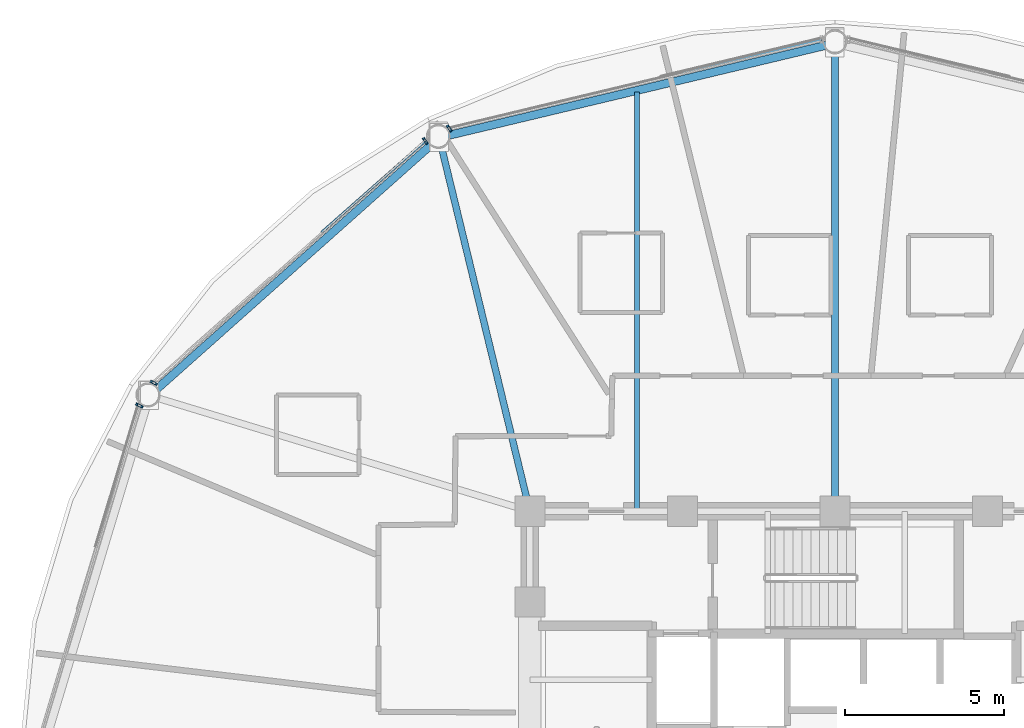
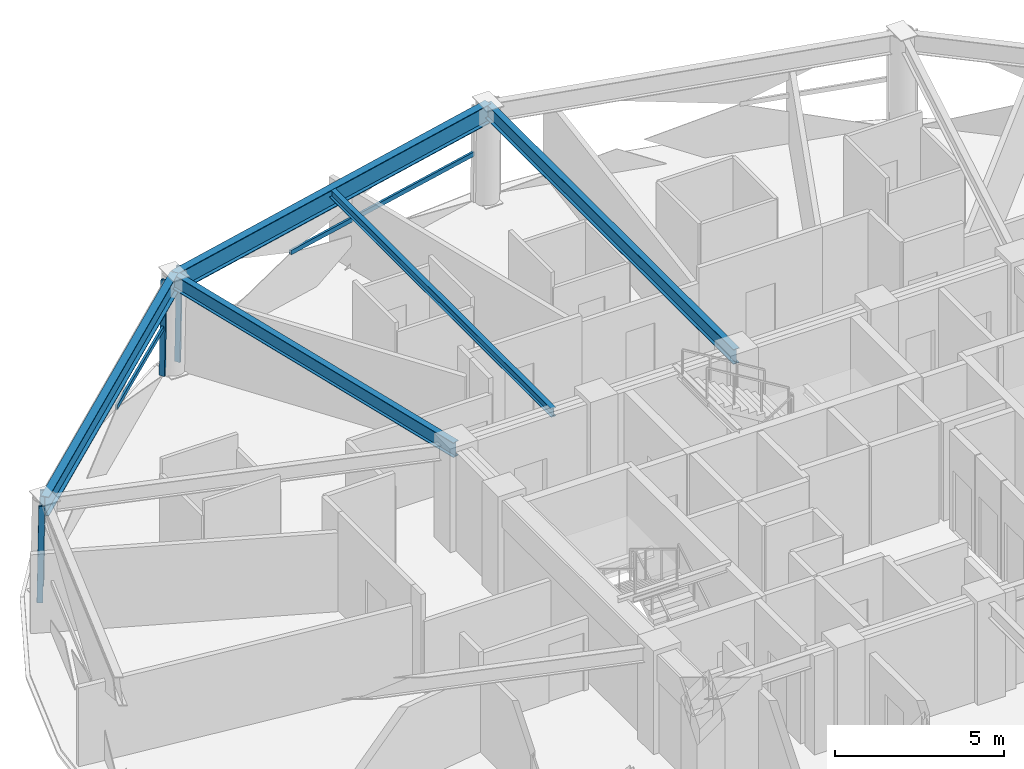
# One storey, part 6 of 18: 6 members, 5 beams, 3 elements without a shape of their own.
"""IFC4 building model written with IfcOpenShell, lengths in metres."""

from ifc_helpers import new_model, si_unit, direction, frame, origin, origin_2d, place, context, subcontext, project, spatial, hollow_rectangle, i_section, extrude, material, layer, layer_set, material_profile, profile_set, type_object, element, aggregate, save


model = new_model("IFC4")

# Units and contexts
model_context = context("Model", 3, precision=1e-05, world=origin(), true_north=direction((0.0, 1.0)))
body_context = subcontext(model_context, "Body", "Model", "MODEL_VIEW")
ifc_project = project(units=[si_unit("LENGTHUNIT", "METRE"), si_unit("AREAUNIT", "SQUARE_METRE"), si_unit("VOLUMEUNIT", "CUBIC_METRE"), si_unit("PLANEANGLEUNIT", "RADIAN"), si_unit("MASSUNIT", "GRAM", prefix="KILO")], contexts=[model_context])

# Site, building, storey
site_placement = place(None, origin())
site = spatial("IfcSite", under=ifc_project, at=site_placement, CompositionType="ELEMENT")
building_placement = place(site_placement, origin())
building = spatial("IfcBuilding", under=site, at=building_placement, Name="Vantalir Tower", CompositionType="ELEMENT")
storey_placement = place(building_placement, frame((0.0, 0.0, 138.449951171875)))
storey = spatial("IfcBuildingStorey", under=building, at=storey_placement, Name="L34", CompositionType="ELEMENT", Elevation=138.449951171875)

# Beams
ifc_material_1 = material(Name="Steel S355", Category="steel")
ifc_material_profile_1 = material_profile(ifc_material_1, i_section(OverallWidth=0.166015625, OverallDepth=0.306884765625, WebThickness=0.006591796875, FlangeThickness=0.01171875, at=origin_2d()), Name="Steel S355")
ifc_profile_set_1 = profile_set([ifc_material_profile_1], Name="Steel S355")
beam_type_1 = type_object("IfcBeamType", Name="BM-JS-305x165", PredefinedType="JOIST", material=ifc_profile_set_1)
beam_1_placement = place(storey_placement, frame((25.27392578125, 45.64892578125, 3.416015625), z_axis=(0.0, -1.0, 0.0), x_axis=(1.0, 0.0, 0.0)))
element("IfcBeam", 1, at=beam_1_placement, inside=storey, type_object=beam_type_1, Name="L34 Composite Trim Joist 01", PredefinedType="JOIST", context=body_context, shape_type="SweptSolid", body=[
    extrude(i_section(OverallWidth=0.166015625, OverallDepth=0.306884765625, WebThickness=0.006591796875, FlangeThickness=0.01171875, at=origin_2d()), origin(), (0.0, 0.0, 1.0), 13.15380859375),
])
ifc_material_profile_2 = material_profile(ifc_material_1, i_section(OverallWidth=0.2109375, OverallDepth=0.5390625, WebThickness=0.01171875, FlangeThickness=0.018798828125, at=origin_2d()), Name="Steel S355")
ifc_profile_set_2 = profile_set([ifc_material_profile_2], Name="Steel S355")
beam_type_2 = type_object("IfcBeamType", Name="BM-RB-533x210", PredefinedType="BEAM", material=ifc_profile_set_2)
beam_2_placement = place(storey_placement, frame((31.5, 47.179931640625, 3.301025390625), z_axis=(0.0, -1.0, 0.0), x_axis=(1.0, 0.0, 0.0)))
element("IfcBeam", 2, at=beam_2_placement, inside=storey, type_object=beam_type_2, Name="L34 Radial Floor Beam 04", PredefinedType="BEAM", context=body_context, shape_type="SweptSolid", body=[
    extrude(i_section(OverallWidth=0.2109375, OverallDepth=0.5390625, WebThickness=0.01171875, FlangeThickness=0.018798828125, at=origin_2d()), origin(), (0.0, 0.0, 1.0), 14.72998046875),
])
beam_3_placement = place(storey_placement, frame((19.047119140625, 44.2080078125, 3.301025390625), z_axis=(0.235783095936, -0.971805706749, 0.0), x_axis=(0.971805706749, 0.235783095936, 0.0)))
element("IfcBeam", 3, at=beam_3_placement, inside=storey, type_object=beam_type_2, Name="L34 Radial Floor Beam 05", PredefinedType="BEAM", context=body_context, shape_type="SweptSolid", body=[
    extrude(i_section(OverallWidth=0.2109375, OverallDepth=0.5390625, WebThickness=0.01171875, FlangeThickness=0.018798828125, at=origin_2d()), origin(), (0.0, 0.0, 1.0), 12.09912109375),
])
ifc_material_2 = material(Name="Steel S460", Category="steel")
ifc_material_profile_3 = material_profile(ifc_material_2, i_section(OverallWidth=0.256103515625, OverallDepth=0.693115234375, WebThickness=0.014404296875, FlangeThickness=0.023681640625, at=origin_2d()), Name="Steel S460")
ifc_profile_set_3 = profile_set([ifc_material_profile_3], Name="Steel S460")
beam_type_3 = type_object("IfcBeamType", Name="BM-RG-686x254", PredefinedType="USERDEFINED", material=ifc_profile_set_3)
beam_4_placement = place(storey_placement, frame((31.5, 47.179931640625, 3.22412109375), z_axis=(-0.972683722423, -0.232134392398, 0.0), x_axis=(0.232134392398, -0.972683722423, 0.0)))
element("IfcBeam", 4, at=beam_4_placement, inside=storey, type_object=beam_type_3, Name="L34 Circumferential Ring Girder 04", ObjectType="GIRDER", PredefinedType="USERDEFINED", context=body_context, shape_type="SweptSolid", body=[
    extrude(i_section(OverallWidth=0.256103515625, OverallDepth=0.693115234375, WebThickness=0.014404296875, FlangeThickness=0.023681640625, at=origin_2d()), origin(), (0.0, 0.0, 1.0), 12.802490234375),
])
beam_5_placement = place(storey_placement, frame((19.047119140625, 44.2080078125, 3.22412109375), z_axis=(-0.746849628185, -0.664992957015, 0.0), x_axis=(0.664992957015, -0.746849628185, 0.0)))
element("IfcBeam", 5, at=beam_5_placement, inside=storey, type_object=beam_type_3, Name="L34 Circumferential Ring Girder 05", ObjectType="GIRDER", PredefinedType="USERDEFINED", context=body_context, shape_type="SweptSolid", body=[
    extrude(i_section(OverallWidth=0.256103515625, OverallDepth=0.693115234375, WebThickness=0.014404296875, FlangeThickness=0.023681640625, at=origin_2d()), origin(), (0.0, 0.0, 1.0), 12.20751953125),
])

# Curtain wall, member
ifc_material_3 = material(Name="Champagne-silver PVDF aluminium and double-silver Low-E glass", Category="aluminium")
ifc_layer = layer(ifc_material_3, 0.199951171875)
ifc_layer_set = layer_set([ifc_layer], Name="Champagne-silver PVDF aluminium and double-silver Low-E glass")
curtain_wall_type = type_object("IfcCurtainWallType", Name="CW-DIAMOND-Z2", PredefinedType="USERDEFINED", material=ifc_layer_set)
curtain_wall_1_placement = place(storey_placement, origin())
curtain_wall_1 = element("IfcCurtainWall", 6, at=curtain_wall_1_placement, inside=storey, type_object=curtain_wall_type, Name="L34 Quilted Pyramid-Diamond Curtain Wall S04", ObjectType="UNITISED CURTAIN WALL", PredefinedType="USERDEFINED")
ifc_material_4 = material(Name="Champagne-silver PVDF aluminium 6063-T6", Category="aluminium")
ifc_material_profile_4 = material_profile(ifc_material_4, hollow_rectangle(XDim=0.074951171875, YDim=0.179931640625, WallThickness=0.00390625, at=origin_2d()), Name="Champagne-silver PVDF aluminium 6063-T6")
ifc_profile_set_4 = profile_set([ifc_material_profile_4], Name="Champagne-silver PVDF aluminium 6063-T6")
member_type_1 = type_object("IfcMemberType", Name="CWM-180x75", PredefinedType="MULLION", material=ifc_profile_set_4)
member_1_placement = place(storey_placement, frame((19.34912109375, 44.52294921875, 0.045166015625), z_axis=(0.008838443158, -0.013748689356, 0.99986641881), x_axis=(0.841178475377, 0.540757591313, 0.0)))
member_1 = element("IfcMember", 7, at=member_1_placement, type_object=member_type_1, Name="CW-L34-S04 Mullion 2", PredefinedType="MULLION", context=body_context, shape_type="SweptSolid", body=[
    extrude(hollow_rectangle(XDim=0.074951171875, YDim=0.179931640625, WallThickness=0.00390625, at=origin_2d()), origin(), (0.0, 0.0, 1.0), 3.48046875),
])

# Curtain wall, members
curtain_wall_2_placement = place(storey_placement, origin())
curtain_wall_2 = element("IfcCurtainWall", 8, at=curtain_wall_2_placement, inside=storey, type_object=curtain_wall_type, Name="L34 Quilted Pyramid-Diamond Curtain Wall S05", ObjectType="UNITISED CURTAIN WALL", PredefinedType="USERDEFINED")
member_2_placement = place(storey_placement, frame((18.593017578125, 44.1279296875, 0.045166015625), z_axis=(0.008908583987, -0.013748680799, 0.999865796449), x_axis=(0.839225358586, 0.543783778267, 0.0)))
member_2 = element("IfcMember", 9, at=member_2_placement, type_object=member_type_1, Name="CW-L34-S05 Mullion 1", PredefinedType="MULLION", context=body_context, shape_type="SweptSolid", body=[
    extrude(hollow_rectangle(XDim=0.074951171875, YDim=0.179931640625, WallThickness=0.00390625, at=origin_2d()), origin(), (0.0, 0.0, 1.0), 3.48046875),
])
member_3_placement = place(storey_placement, frame((10.0400390625, 36.5048828125, 0.045166015625), z_axis=(0.015221579829, -0.007716008208, 0.999854372759), x_axis=(0.452139223219, 0.891947376714, 0.0)))
member_3 = element("IfcMember", 10, at=member_3_placement, type_object=member_type_1, Name="CW-L34-S05 Mullion 2", PredefinedType="MULLION", context=body_context, shape_type="SweptSolid", body=[
    extrude(hollow_rectangle(XDim=0.074951171875, YDim=0.179931640625, WallThickness=0.00390625, at=origin_2d()), origin(), (0.0, 0.0, 1.0), 3.48046875),
])

# Curtain wall, member
curtain_wall_3_placement = place(storey_placement, origin())
curtain_wall_3 = element("IfcCurtainWall", 11, at=curtain_wall_3_placement, inside=storey, type_object=curtain_wall_type, Name="L34 Quilted Pyramid-Diamond Curtain Wall S06", ObjectType="UNITISED CURTAIN WALL", PredefinedType="USERDEFINED")
member_4_placement = place(storey_placement, frame((9.5849609375, 35.791015625, 0.045166015625), z_axis=(0.015221571553, -0.007786149504, 0.999853829135), x_axis=(0.455400184888, 0.890286847934, 0.0)))
member_4 = element("IfcMember", 12, at=member_4_placement, type_object=member_type_1, Name="CW-L34-S06 Mullion 1", PredefinedType="MULLION", context=body_context, shape_type="SweptSolid", body=[
    extrude(hollow_rectangle(XDim=0.074951171875, YDim=0.179931640625, WallThickness=0.00390625, at=origin_2d()), origin(), (0.0, 0.0, 1.0), 3.48046875),
])
aggregate(curtain_wall_3, [member_4])

# Member
ifc_material_profile_5 = material_profile(ifc_material_4, hollow_rectangle(XDim=0.074951171875, YDim=0.159912109375, WallThickness=0.00390625, at=origin_2d()), Name="Champagne-silver PVDF aluminium 6063-T6")
ifc_profile_set_5 = profile_set([ifc_material_profile_5], Name="Champagne-silver PVDF aluminium 6063-T6")
member_type_2 = type_object("IfcMemberType", Name="CWT-160x75", PredefinedType="USERDEFINED", material=ifc_profile_set_5)
member_5_placement = place(storey_placement, frame((31.072021484375, 47.294921875, 1.78515625), z_axis=(-0.973386280902, -0.229170565631, 0.0), x_axis=(0.229170565631, -0.973386280902, 0.0)))
member_5 = element("IfcMember", 13, at=member_5_placement, type_object=member_type_2, Name="CW-L34-S04 Pyramid Fold Ridge Transom", ObjectType="TRANSOM", PredefinedType="USERDEFINED", context=body_context, shape_type="SweptSolid", body=[
    extrude(hollow_rectangle(XDim=0.074951171875, YDim=0.159912109375, WallThickness=0.00390625, at=origin_2d()), origin(), (0.0, 0.0, 1.0), 7.4658203125),
])

aggregate(curtain_wall_1, [member_1, member_5])

member_6_placement = place(storey_placement, frame((18.60791015625, 44.10400390625, 1.78515625), z_axis=(-0.750189932522, -0.661222402178, 0.0), x_axis=(0.661222402178, -0.750189932522, 0.0)))
member_6 = element("IfcMember", 14, at=member_6_placement, type_object=member_type_2, Name="CW-L34-S05 Pyramid Fold Ridge Transom", ObjectType="TRANSOM", PredefinedType="USERDEFINED", context=body_context, shape_type="SweptSolid", body=[
    extrude(hollow_rectangle(XDim=0.074951171875, YDim=0.159912109375, WallThickness=0.00390625, at=origin_2d()), origin(), (0.0, 0.0, 1.0), 4.349365234375),
])

aggregate(curtain_wall_2, [member_2, member_3, member_6])

save(model, "model.ifc")
